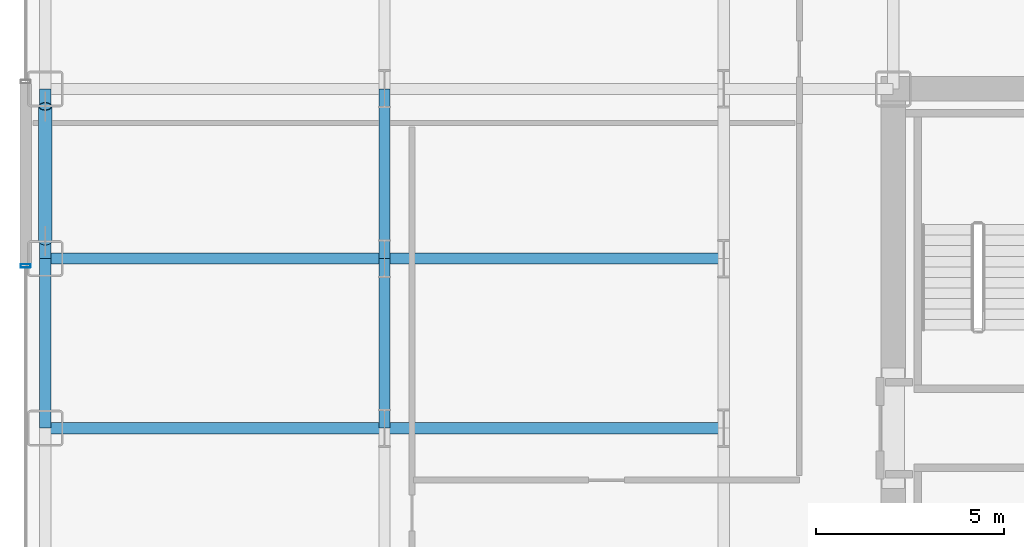
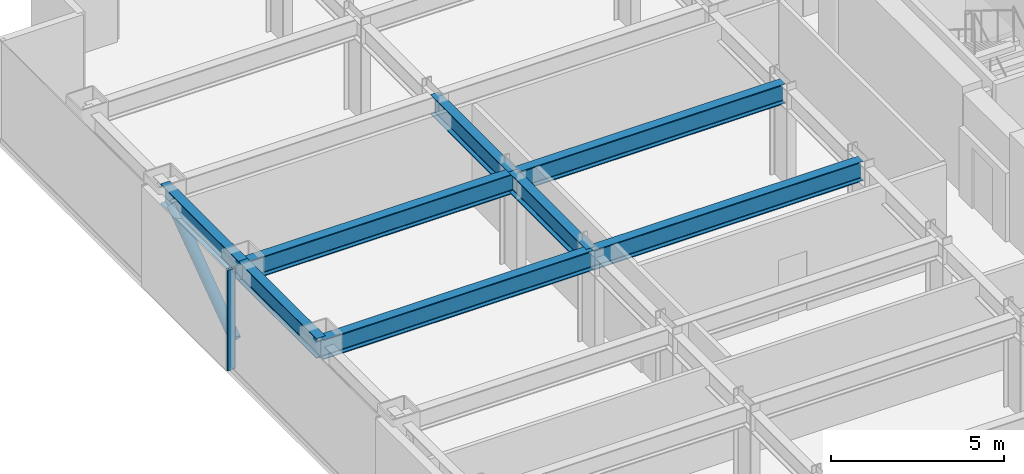
# One storey, part 6 of 29: 8 beams, 2 members, 1 element without a shape of its own.
"""IFC4 building model written with IfcOpenShell, lengths in metres."""

from ifc_helpers import new_model, si_unit, direction, frame, origin, origin_2d, place, context, subcontext, project, spatial, hollow_rectangle, hollow_circle, i_section, extrude, source, transform, mapped, material, layer, layer_set, material_profile, profile_set, type_object, element, aggregate, save


model = new_model("IFC4")

# Units and contexts
model_context = context("Model", 3, precision=1e-05, world=origin(), true_north=direction((0.0, 1.0)))
body_context = subcontext(model_context, "Body", "Model", "MODEL_VIEW")
ifc_project = project(units=[si_unit("LENGTHUNIT", "METRE"), si_unit("AREAUNIT", "SQUARE_METRE"), si_unit("VOLUMEUNIT", "CUBIC_METRE"), si_unit("PLANEANGLEUNIT", "RADIAN"), si_unit("MASSUNIT", "GRAM", prefix="KILO")], contexts=[model_context])

# Site, building, storey
site_placement = place(None, origin())
site = spatial("IfcSite", under=ifc_project, at=site_placement, CompositionType="ELEMENT")
building_placement = place(site_placement, origin())
building = spatial("IfcBuilding", under=site, at=building_placement, Name="Nefas-Gora Pilgrimage Tower", CompositionType="ELEMENT")
storey_placement = place(building_placement, frame((0.0, 0.0, 78.60009765625)))
storey = spatial("IfcBuildingStorey", under=building, at=storey_placement, Name="L18", CompositionType="ELEMENT", Elevation=78.60009765625)

# Beams
ifc_material_1 = material(Name="Steel S355", Category="steel")
ifc_material_profile_1 = material_profile(ifc_material_1, i_section(OverallWidth=0.300048828125, OverallDepth=0.699951171875, WebThickness=0.01708984375, FlangeThickness=0.031982421875, FilletRadius=0.027099609375, at=origin_2d()), Name="HEB 700")
ifc_profile_set_1 = profile_set([ifc_material_profile_1], Name="Steel S355")
beam_type_1 = type_object("IfcBeamType", Name="BM-SPN-HEB600", PredefinedType="SPANDREL", material=ifc_profile_set_1)
shared_shape_1 = source(origin(), body_context, "Body", "SweptSolid", [
    extrude(i_section(OverallWidth=0.300048828125, OverallDepth=0.699951171875, WebThickness=0.01708984375, FlangeThickness=0.031982421875, FilletRadius=0.027099609375, at=origin_2d()), origin(), (0.0, 0.0, 1.0), 4.5),
])
for number, where, z_axis, x_axis, name in (
    (1, (-33.75, 0.0, 3.199951171875), (0.0, 1.0, 0.0), (-1.0, 0.0, 0.0), "L18 SP-01 beam"),
    (2, (-33.75, 4.5, 3.199951171875), (0.0, 1.0, 0.0), (-1.0, 0.0, 0.0), "L18 SP-01 beam"),
):
    element("IfcBeam", number, at=place(storey_placement, frame(where, z_axis=z_axis, x_axis=x_axis)), inside=storey, type_object=beam_type_1, Name=name, PredefinedType="SPANDREL", context=body_context, shape_type="MappedRepresentation", body=[
        mapped(shared_shape_1, transform((0.0, 0.0, 0.0), x_axis=(1.0, 0.0, 0.0), y_axis=(0.0, 1.0, 0.0), z_axis=(0.0, 0.0, 1.0), scale=1.0)),
    ])
ifc_material_profile_2 = material_profile(ifc_material_1, i_section(OverallWidth=0.300048828125, OverallDepth=0.699951171875, WebThickness=0.01708984375, FlangeThickness=0.031982421875, FilletRadius=0.027099609375, at=origin_2d()), Name="HEB 700")
ifc_profile_set_2 = profile_set([ifc_material_profile_2], Name="Steel S355")
beam_type_2 = type_object("IfcBeamType", Name="BM-GIR-HEB700", PredefinedType="BEAM", material=ifc_profile_set_2)
shared_shape_2 = source(origin(), body_context, "Body", "SweptSolid", [
    extrude(i_section(OverallWidth=0.300048828125, OverallDepth=0.699951171875, WebThickness=0.01708984375, FlangeThickness=0.031982421875, FilletRadius=0.027099609375, at=origin_2d()), origin(), (0.0, 0.0, 1.0), 9.0),
])
for number, where, z_axis, x_axis, name in (
    (3, (-33.75, 0.0, 3.199951171875), (1.0, 0.0, 0.0), (0.0, 1.0, 0.0), "L18 G-02 beam"),
    (4, (-33.75, 4.5, 3.199951171875), (1.0, 0.0, 0.0), (0.0, 1.0, 0.0), "L18 G-02 beam"),
    (5, (-24.75, 0.0, 3.199951171875), (1.0, 0.0, 0.0), (0.0, 1.0, 0.0), "L18 G-02 beam"),
    (6, (-24.75, 4.5, 3.199951171875), (1.0, 0.0, 0.0), (0.0, 1.0, 0.0), "L18 G-02 beam"),
):
    element("IfcBeam", number, at=place(storey_placement, frame(where, z_axis=z_axis, x_axis=x_axis)), inside=storey, type_object=beam_type_2, Name=name, PredefinedType="BEAM", context=body_context, shape_type="MappedRepresentation", body=[
        mapped(shared_shape_2, transform((0.0, 0.0, 0.0), x_axis=(1.0, 0.0, 0.0), y_axis=(0.0, 1.0, 0.0), z_axis=(0.0, 0.0, 1.0), scale=1.0)),
    ])
shared_shape_3 = source(origin(), body_context, "Body", "SweptSolid", [
    extrude(i_section(OverallWidth=0.300048828125, OverallDepth=0.699951171875, WebThickness=0.01708984375, FlangeThickness=0.031982421875, FilletRadius=0.027099609375, at=origin_2d()), origin(), (0.0, 0.0, 1.0), 4.5),
])
for number, where, z_axis, x_axis, name in (
    (7, (-24.75, 0.0, 3.199951171875), (0.0, 1.0, 0.0), (-1.0, 0.0, 0.0), "L18 G-02 beam"),
    (8, (-24.75, 4.5, 3.199951171875), (0.0, 1.0, 0.0), (-1.0, 0.0, 0.0), "L18 G-02 beam"),
):
    element("IfcBeam", number, at=place(storey_placement, frame(where, z_axis=z_axis, x_axis=x_axis)), inside=storey, type_object=beam_type_2, Name=name, PredefinedType="BEAM", context=body_context, shape_type="MappedRepresentation", body=[
        mapped(shared_shape_3, transform((0.0, 0.0, 0.0), x_axis=(1.0, 0.0, 0.0), y_axis=(0.0, 1.0, 0.0), z_axis=(0.0, 0.0, 1.0), scale=1.0)),
    ])

# Member
ifc_material_2 = material(Name="Steel S460", Category="steel")
ifc_material_profile_3 = material_profile(ifc_material_2, hollow_circle(Radius=0.177734375, WallThickness=0.02001953125, at=origin_2d()), Name="CHS 355.6x20")
ifc_profile_set_3 = profile_set([ifc_material_profile_3], Name="Steel S460")
member_type_1 = type_object("IfcMemberType", Name="MEM-TUBE-356", PredefinedType="BRACE", material=ifc_profile_set_3)
shared_shape_4 = source(origin(), body_context, "Body", "SweptSolid", [
    extrude(hollow_circle(Radius=0.177734375, WallThickness=0.02001953125, at=origin_2d()), origin(), (0.0, 0.0, 1.0), 4.39501953125),
])
member_1_placement = place(storey_placement, frame((-33.75, 4.962890625, 0.481201171875), z_axis=(0.0, 0.813264026864, 0.581894855287), x_axis=(-1.0, 0.0, 0.0)))
element("IfcMember", 9, at=member_1_placement, inside=storey, type_object=member_type_1, Name="L18 Perimeter Tube Diagonal Brace W2", PredefinedType="BRACE", context=body_context, shape_type="MappedRepresentation", body=[
    mapped(shared_shape_4, transform((0.0, 0.0, 0.0), x_axis=(1.0, 0.0, 0.0), y_axis=(0.0, 1.0, 0.0), z_axis=(0.0, 0.0, 1.0), scale=1.0)),
])

# Curtain wall, member
ifc_material_3 = material(Name="Dark ceramic-fritted solar-control aluminium-glass curtain wall", Category="aluminium")
ifc_layer = layer(ifc_material_3, 0.219970703125)
ifc_layer_set = layer_set([ifc_layer], Name="Dark ceramic-fritted solar-control aluminium-glass curtain wall")
curtain_wall_type = type_object("IfcCurtainWallType", Name="CW-SYS-2", PredefinedType="NOTDEFINED", material=ifc_layer_set)
curtain_wall_placement = place(storey_placement, origin())
curtain_wall = element("IfcCurtainWall", 10, at=curtain_wall_placement, inside=storey, type_object=curtain_wall_type, Name="L18 Unitised Curtain Wall CW2", PredefinedType="NOTDEFINED")
ifc_material_4 = material(Name="Anodised architectural aluminium", Category="aluminium")
ifc_material_profile_4 = material_profile(ifc_material_4, hollow_rectangle(XDim=0.090087890625, YDim=0.260009765625, WallThickness=0.006103515625, InnerFilletRadius=0.006103515625, OuterFilletRadius=0.011962890625, at=origin_2d()), Name="ALU MULLION 90x260")
ifc_profile_set_4 = profile_set([ifc_material_profile_4], Name="Anodised architectural aluminium")
member_type_2 = type_object("IfcMemberType", Name="CWM-MUL-2", PredefinedType="MULLION", material=ifc_profile_set_4)
shared_shape_5 = source(origin(), body_context, "Body", "SweptSolid", [
    extrude(hollow_rectangle(XDim=0.090087890625, YDim=0.260009765625, WallThickness=0.006103515625, InnerFilletRadius=0.006103515625, OuterFilletRadius=0.011962890625, at=origin_2d()), origin(), (0.0, 0.0, 1.0), 3.5498046875),
])
member_2_placement = place(storey_placement, frame((-34.27001953125, 4.304931640625, 0.0), z_axis=(0.0, 0.0, 1.0), x_axis=(0.0, -1.0, 0.0)))
member_2 = element("IfcMember", 11, at=member_2_placement, type_object=member_type_2, Name="CW2 Mullion 1", PredefinedType="MULLION", context=body_context, shape_type="MappedRepresentation", body=[
    mapped(shared_shape_5, transform((0.0, 0.0, 0.0), x_axis=(1.0, 0.0, 0.0), y_axis=(0.0, 1.0, 0.0), z_axis=(0.0, 0.0, 1.0), scale=1.0)),
])
aggregate(curtain_wall, [member_2])

save(model, "model.ifc")
